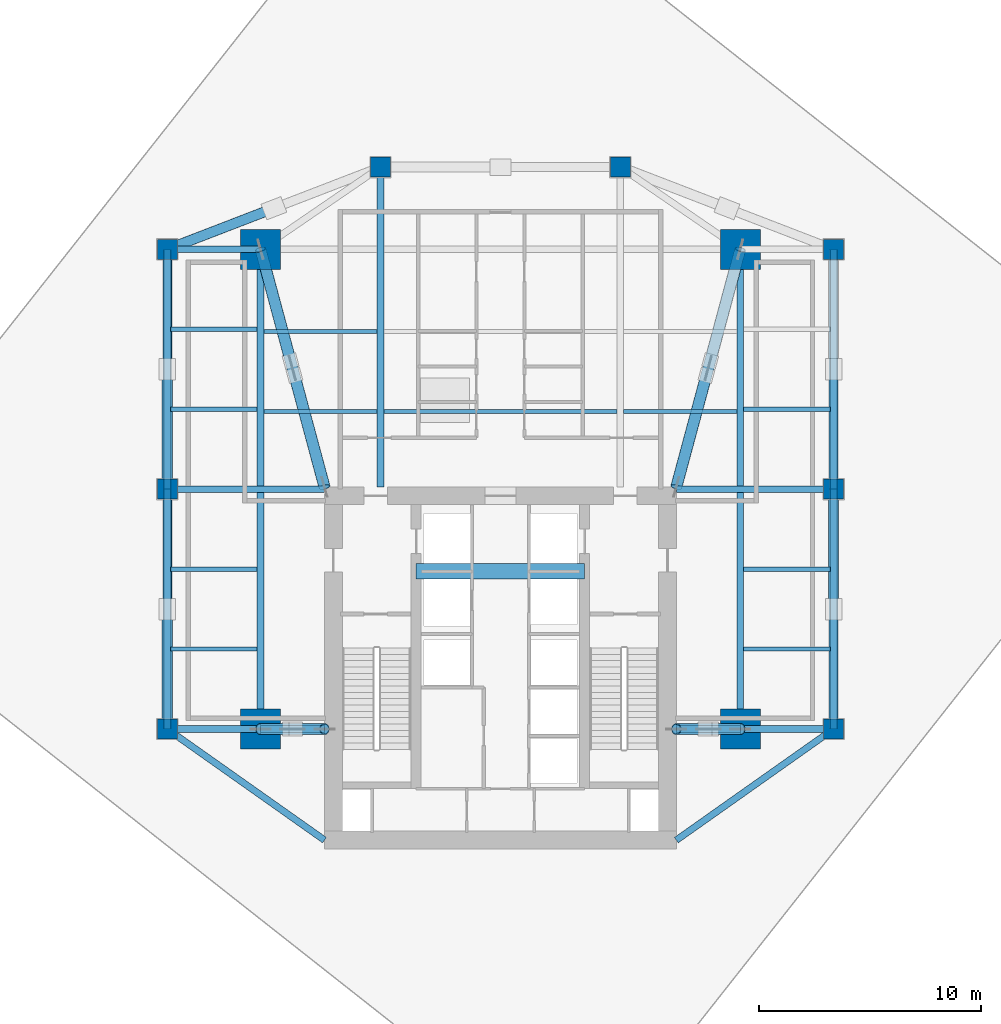
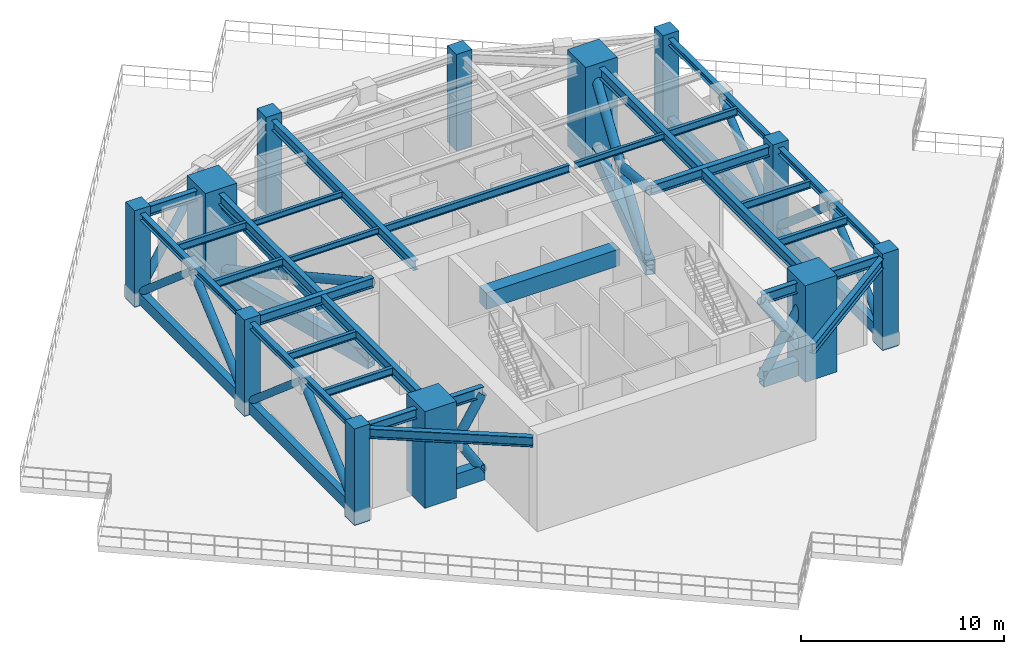
# One storey, part 1 of 8: 32 beams, 23 members, 12 columns.
"""IFC4 building model written with IfcOpenShell, lengths in metres."""

from ifc_helpers import new_model, si_unit, direction, frame, origin, origin_2d, place, context, subcontext, project, spatial, rectangle, hollow_rectangle, hollow_circle, i_section, extrude, source, transform, mapped, material, material_profile, profile_set, type_object, type_shapes, element, save


model = new_model("IFC4")

# Units and contexts
model_context = context("Model", 3, precision=1e-05, world=origin(), true_north=direction((0.0, 1.0)))
body_context = subcontext(model_context, "Body", "Model", "MODEL_VIEW")
ifc_project = project(units=[si_unit("LENGTHUNIT", "METRE"), si_unit("AREAUNIT", "SQUARE_METRE"), si_unit("VOLUMEUNIT", "CUBIC_METRE"), si_unit("PLANEANGLEUNIT", "RADIAN"), si_unit("MASSUNIT", "GRAM", prefix="KILO")], contexts=[model_context])

# Site, building, storey
site_placement = place(None, origin())
site = spatial("IfcSite", under=ifc_project, at=site_placement, CompositionType="ELEMENT")
building_placement = place(site_placement, origin())
building = spatial("IfcBuilding", under=site, at=building_placement, Name="Krantzveldt Concourse Tower", CompositionType="ELEMENT")
storey_placement = place(building_placement, frame((0.0, 0.0, 201.5)))
storey = spatial("IfcBuildingStorey", under=building, at=storey_placement, Name="L49", CompositionType="ELEMENT", Elevation=201.5)

# Columns
ifc_material_1 = material(Name="Concrete C50/60", Category="concrete")
ifc_material_profile_1 = material_profile(ifc_material_1, rectangle(XDim=1.800048828125, YDim=1.800048828125, at=origin_2d()), Name="Concrete C50/60", Category="concrete")
ifc_profile_set_1 = profile_set([ifc_material_profile_1], Name="Concrete C50/60 - RC 1800x1800")
column_type_1 = type_object("IfcColumnType", Name="COL-MC-1800", PredefinedType="USERDEFINED", material=ifc_profile_set_1)
shared_shape_1 = source(origin(), body_context, "Body", "SweptSolid", [
    extrude(rectangle(XDim=1.800048828125, YDim=1.800048828125, at=origin_2d()), origin(), (0.0, 0.0, 1.0), 5.800048828125),
])
type_shapes(column_type_1, [shared_shape_1])
for number, where, z_axis, x_axis, name in (
    (1, (25.199951171875, 15.89990234375, 0.0), (0.0, 0.0, 1.0), (1.0, 0.0, 0.0), "MC-SW-L49"),
    (2, (46.800048828125, 15.89990234375, 0.0), (0.0, 0.0, 1.0), (1.0, 0.0, 0.0), "MC-SE-L49"),
    (3, (46.800048828125, 37.5, 0.0), (0.0, 0.0, 1.0), (1.0, 0.0, 0.0), "MC-NE-L49"),
    (4, (25.199951171875, 37.5, 0.0), (0.0, 0.0, 1.0), (1.0, 0.0, 0.0), "MC-NW-L49"),
):
    element("IfcColumn", number, at=place(storey_placement, frame(where, z_axis=z_axis, x_axis=x_axis)), inside=storey, type_object=column_type_1, Name=name, ObjectType="MEGA COLUMN", PredefinedType="USERDEFINED", context=body_context, shape_type="MappedRepresentation", body=[
        mapped(shared_shape_1, transform((0.0, 0.0, 0.0), x_axis=(1.0, 0.0, 0.0), y_axis=(0.0, 1.0, 0.0), z_axis=(0.0, 0.0, 1.0), scale=1.0)),
    ])
ifc_material_profile_2 = material_profile(ifc_material_1, rectangle(XDim=0.89990234375, YDim=0.89990234375, at=origin_2d()), Name="Concrete C50/60", Category="concrete")
ifc_profile_set_2 = profile_set([ifc_material_profile_2], Name="Concrete C50/60 - RC 900x900")
column_type_2 = type_object("IfcColumnType", Name="COL-C-Z3", PredefinedType="COLUMN", material=ifc_profile_set_2)
shared_shape_2 = source(origin(), body_context, "Body", "SweptSolid", [
    extrude(rectangle(XDim=0.89990234375, YDim=0.89990234375, at=origin_2d()), origin(), (0.0, 0.0, 1.0), 5.800048828125),
])
type_shapes(column_type_2, [shared_shape_2])
for number, where, z_axis, x_axis, name in (
    (5, (21.0, 15.89990234375, 0.0), (0.0, 0.0, 1.0), (1.0, 0.0, 0.0), "PC-R01-L49"),
    (6, (21.0, 26.699951171875, 0.0), (0.0, 0.0, 1.0), (1.0, 0.0, 0.0), "PC-R02-L49"),
    (7, (21.0, 37.5, 0.0), (0.0, 0.0, 1.0), (1.0, 0.0, 0.0), "PC-R03-L49"),
    (8, (30.60009765625, 41.199951171875, 0.0), (0.0, 0.0, 1.0), (1.0, 0.0, 0.0), "PC-R04-L49"),
    (9, (41.39990234375, 41.199951171875, 0.0), (0.0, 0.0, 1.0), (1.0, 0.0, 0.0), "PC-R05-L49"),
    (10, (51.0, 37.5, 0.0), (0.0, 0.0, 1.0), (1.0, 0.0, 0.0), "PC-R06-L49"),
    (11, (51.0, 26.699951171875, 0.0), (0.0, 0.0, 1.0), (1.0, 0.0, 0.0), "PC-R07-L49"),
    (12, (51.0, 15.89990234375, 0.0), (0.0, 0.0, 1.0), (1.0, 0.0, 0.0), "PC-R08-L49"),
):
    element("IfcColumn", number, at=place(storey_placement, frame(where, z_axis=z_axis, x_axis=x_axis)), inside=storey, type_object=column_type_2, Name=name, PredefinedType="COLUMN", context=body_context, shape_type="MappedRepresentation", body=[
        mapped(shared_shape_2, transform((0.0, 0.0, 0.0), x_axis=(1.0, 0.0, 0.0), y_axis=(0.0, 1.0, 0.0), z_axis=(0.0, 0.0, 1.0), scale=1.0)),
    ])

# Beams
ifc_material_2 = material(Name="Steel S355JR", Category="steel")
ifc_material_profile_3 = material_profile(ifc_material_2, i_section(OverallWidth=0.300048828125, OverallDepth=0.639892578125, WebThickness=0.013427734375, FlangeThickness=0.02587890625, FilletRadius=0.027099609375, at=origin_2d()), Name="Steel S355JR", Category="steel")
ifc_profile_set_3 = profile_set([ifc_material_profile_3], Name="Steel S355JR - HEA 650")
beam_type_1 = type_object("IfcBeamType", Name="BM-B-HEA650", PredefinedType="BEAM", material=ifc_profile_set_3)
shared_shape_3 = source(origin(), body_context, "Body", "SweptSolid", [
    extrude(i_section(OverallWidth=0.300048828125, OverallDepth=0.639892578125, WebThickness=0.013427734375, FlangeThickness=0.02587890625, FilletRadius=0.027099609375, at=origin_2d()), origin(), (0.0, 0.0, 1.0), 21.60009765625),
])
for number, where, z_axis, x_axis, name in (
    (13, (25.199951171875, 15.89990234375, 5.199951171875), (0.0, 1.0, 0.0), (-1.0, 0.0, 0.0), "L49 Tower Girder BG-MW"),
    (14, (46.800048828125, 15.89990234375, 5.199951171875), (0.0, 1.0, 0.0), (-1.0, 0.0, 0.0), "L49 Tower Girder BG-ME"),
):
    element("IfcBeam", number, at=place(storey_placement, frame(where, z_axis=z_axis, x_axis=x_axis)), inside=storey, type_object=beam_type_1, Name=name, PredefinedType="BEAM", context=body_context, shape_type="MappedRepresentation", body=[
        mapped(shared_shape_3, transform((0.0, 0.0, 0.0), x_axis=(1.0, 0.0, 0.0), y_axis=(0.0, 1.0, 0.0), z_axis=(0.0, 0.0, 1.0), scale=1.0)),
    ])
ifc_material_profile_4 = material_profile(ifc_material_2, i_section(OverallWidth=0.300048828125, OverallDepth=0.590087890625, WebThickness=0.012939453125, FlangeThickness=0.02490234375, FilletRadius=0.027099609375, at=origin_2d()), Name="Steel S355JR", Category="steel")
ifc_profile_set_4 = profile_set([ifc_material_profile_4], Name="Steel S355JR - HEA 600")
beam_type_2 = type_object("IfcBeamType", Name="BM-B-HEA600", PredefinedType="BEAM", material=ifc_profile_set_4)
shared_shape_4 = source(origin(), body_context, "Body", "SweptSolid", [
    extrude(i_section(OverallWidth=0.300048828125, OverallDepth=0.590087890625, WebThickness=0.012939453125, FlangeThickness=0.02490234375, FilletRadius=0.027099609375, at=origin_2d()), origin(), (0.0, 0.0, 1.0), 7.080078125),
])
for number, where, z_axis, x_axis, name in (
    (15, (21.0, 26.699951171875, 5.22509765625), (1.0, 0.0, 0.0), (0.0, 1.0, 0.0), "L49 Tower Girder BG-CW2"),
    (16, (43.919921875, 26.699951171875, 5.22509765625), (1.0, 0.0, 0.0), (0.0, 1.0, 0.0), "L49 Tower Girder BG-CE2"),
):
    element("IfcBeam", number, at=place(storey_placement, frame(where, z_axis=z_axis, x_axis=x_axis)), inside=storey, type_object=beam_type_2, Name=name, PredefinedType="BEAM", context=body_context, shape_type="MappedRepresentation", body=[
        mapped(shared_shape_4, transform((0.0, 0.0, 0.0), x_axis=(1.0, 0.0, 0.0), y_axis=(0.0, 1.0, 0.0), z_axis=(0.0, 0.0, 1.0), scale=1.0)),
    ])
shared_shape_5 = source(origin(), body_context, "Body", "SweptSolid", [
    extrude(i_section(OverallWidth=0.300048828125, OverallDepth=0.590087890625, WebThickness=0.012939453125, FlangeThickness=0.02490234375, FilletRadius=0.027099609375, at=origin_2d()), origin(), (0.0, 0.0, 1.0), 14.39990234375),
])
beam_1_placement = place(storey_placement, frame((30.60009765625, 26.800048828125, 5.22509765625), z_axis=(0.0, 1.0, 0.0), x_axis=(-1.0, 0.0, 0.0)))
element("IfcBeam", 17, at=beam_1_placement, inside=storey, type_object=beam_type_2, Name="L49 Tower Girder BG-CNW", PredefinedType="BEAM", context=body_context, shape_type="MappedRepresentation", body=[
    mapped(shared_shape_5, transform((0.0, 0.0, 0.0), x_axis=(1.0, 0.0, 0.0), y_axis=(0.0, 1.0, 0.0), z_axis=(0.0, 0.0, 1.0), scale=1.0)),
])
shared_shape_6 = source(origin(), body_context, "Body", "SweptSolid", [
    extrude(i_section(OverallWidth=0.300048828125, OverallDepth=0.590087890625, WebThickness=0.012939453125, FlangeThickness=0.02490234375, FilletRadius=0.027099609375, at=origin_2d()), origin(), (0.0, 0.0, 1.0), 4.199951171875),
])
for number, where, z_axis, x_axis, name in (
    (18, (21.0, 15.89990234375, 5.22509765625), (1.0, 0.0, 0.0), (0.0, 1.0, 0.0), "L49 Tower Girder BR-RL1"),
    (19, (21.0, 37.5, 5.22509765625), (1.0, 0.0, 0.0), (0.0, 1.0, 0.0), "L49 Tower Girder BR-RL3"),
    (20, (46.800048828125, 15.89990234375, 5.22509765625), (1.0, 0.0, 0.0), (0.0, 1.0, 0.0), "L49 Tower Girder BR-RR1"),
):
    element("IfcBeam", number, at=place(storey_placement, frame(where, z_axis=z_axis, x_axis=x_axis)), inside=storey, type_object=beam_type_2, Name=name, PredefinedType="BEAM", context=body_context, shape_type="MappedRepresentation", body=[
        mapped(shared_shape_6, transform((0.0, 0.0, 0.0), x_axis=(1.0, 0.0, 0.0), y_axis=(0.0, 1.0, 0.0), z_axis=(0.0, 0.0, 1.0), scale=1.0)),
    ])
shared_shape_7 = source(origin(), body_context, "Body", "SweptSolid", [
    extrude(i_section(OverallWidth=0.300048828125, OverallDepth=0.590087890625, WebThickness=0.012939453125, FlangeThickness=0.02490234375, FilletRadius=0.027099609375, at=origin_2d()), origin(), (0.0, 0.0, 1.0), 8.667724609375),
])
type_shapes(beam_type_2, [shared_shape_4, shared_shape_5, shared_shape_6, shared_shape_7])
for number, where, z_axis, x_axis, name in (
    (21, (21.0, 15.89990234375, 5.22509765625), (0.81684294656, -0.576860122261, 0.0), (0.576860122261, 0.81684294656, 0.0), "L49 Tower Girder BR-CSW"),
    (22, (51.0, 15.89990234375, 5.22509765625), (-0.81684294656, -0.576860122261, 0.0), (0.576860122261, -0.81684294656, 0.0), "L49 Tower Girder BR-CSE"),
):
    element("IfcBeam", number, at=place(storey_placement, frame(where, z_axis=z_axis, x_axis=x_axis)), inside=storey, type_object=beam_type_2, Name=name, PredefinedType="BEAM", context=body_context, shape_type="MappedRepresentation", body=[
        mapped(shared_shape_7, transform((0.0, 0.0, 0.0), x_axis=(1.0, 0.0, 0.0), y_axis=(0.0, 1.0, 0.0), z_axis=(0.0, 0.0, 1.0), scale=1.0)),
    ])
ifc_material_profile_5 = material_profile(ifc_material_2, i_section(OverallWidth=0.18994140625, OverallDepth=0.449951171875, WebThickness=0.009521484375, FlangeThickness=0.0146484375, FilletRadius=0.02099609375, at=origin_2d()), Name="Steel S355JR", Category="steel")
ifc_profile_set_5 = profile_set([ifc_material_profile_5], Name="Steel S355JR - IPE 450")
beam_type_3 = type_object("IfcBeamType", Name="BM-J-IPE450", PredefinedType="JOIST", material=ifc_profile_set_5)
shared_shape_8 = source(origin(), body_context, "Body", "SweptSolid", [
    extrude(i_section(OverallWidth=0.18994140625, OverallDepth=0.449951171875, WebThickness=0.009521484375, FlangeThickness=0.0146484375, FilletRadius=0.02099609375, at=origin_2d()), origin(), (0.0, 0.0, 1.0), 10.5),
])
beam_2_placement = place(storey_placement, frame((30.75, 30.199951171875, 5.294921875), z_axis=(1.0, 0.0, 0.0), x_axis=(0.0, 1.0, 0.0)))
element("IfcBeam", 23, at=beam_2_placement, inside=storey, type_object=beam_type_3, Name="L49 Secondary Floor Joist JN-C1", PredefinedType="JOIST", context=body_context, shape_type="MappedRepresentation", body=[
    mapped(shared_shape_8, transform((0.0, 0.0, 0.0), x_axis=(1.0, 0.0, 0.0), y_axis=(0.0, 1.0, 0.0), z_axis=(0.0, 0.0, 1.0), scale=1.0)),
])
ifc_material_3 = material(Name="Steel S355J2", Category="steel")
ifc_material_profile_6 = material_profile(ifc_material_3, hollow_rectangle(XDim=0.5, YDim=0.89990234375, WallThickness=0.044921875, at=origin_2d()), Name="Steel S355J2", Category="steel")
ifc_profile_set_6 = profile_set([ifc_material_profile_6], Name="Steel S355J2 - RHS 900x500x45")
beam_type_4 = type_object("IfcBeamType", Name="BM-OT-CHD900", PredefinedType="BEAM", material=ifc_profile_set_6)
shared_shape_9 = source(origin(), body_context, "Body", "SweptSolid", [
    extrude(hollow_rectangle(XDim=0.5, YDim=0.89990234375, WallThickness=0.044921875, at=origin_2d()), origin(), (0.0, 0.0, 1.0), 2.880126953125),
])
for number, where, z_axis, x_axis, name in (
    (24, (28.080078125, 15.89990234375, 0.449951171875), (-1.0, 0.0, 0.0), (0.0, -1.0, 0.0), "OT-SW-L49-BC"),
    (25, (43.919921875, 15.89990234375, 0.449951171875), (1.0, 0.0, 0.0), (0.0, 1.0, 0.0), "OT-SE-L49-BC"),
):
    element("IfcBeam", number, at=place(storey_placement, frame(where, z_axis=z_axis, x_axis=x_axis)), inside=storey, type_object=beam_type_4, Name=name, PredefinedType="BEAM", context=body_context, shape_type="MappedRepresentation", body=[
        mapped(shared_shape_9, transform((0.0, 0.0, 0.0), x_axis=(1.0, 0.0, 0.0), y_axis=(0.0, 1.0, 0.0), z_axis=(0.0, 0.0, 1.0), scale=1.0)),
    ])

# Members
ifc_material_profile_7 = material_profile(ifc_material_3, hollow_circle(Radius=0.25390625, WallThickness=0.035888671875, at=origin_2d()), Name="Steel S355J2", Category="steel")
ifc_profile_set_7 = profile_set([ifc_material_profile_7], Name="Steel S355J2 - CHS 508x36")
member_type_1 = type_object("IfcMemberType", Name="MB-OB-CHS508", PredefinedType="BRACE", material=ifc_profile_set_7)
shared_shape_10 = source(origin(), body_context, "Body", "SweptSolid", [
    extrude(hollow_circle(Radius=0.25390625, WallThickness=0.035888671875, at=origin_2d()), origin(), (0.0, 0.0, 1.0), 5.4443359375),
])
for number, where, z_axis, x_axis, name in (
    (26, (28.080078125, 15.89990234375, 0.449951171875), (-0.52901505659, 0.0, 0.848612437984), (0.0, -1.0, 0.0), "Brace Diagonal OT-SW-L49-D1"),
    (27, (43.919921875, 15.89990234375, 0.449951171875), (0.52901505659, 0.0, 0.848612437984), (0.0, 1.0, 0.0), "Brace Diagonal OT-SE-L49-D1"),
):
    element("IfcMember", number, at=place(storey_placement, frame(where, z_axis=z_axis, x_axis=x_axis)), inside=storey, type_object=member_type_1, Name=name, PredefinedType="BRACE", context=body_context, shape_type="MappedRepresentation", body=[
        mapped(shared_shape_10, transform((0.0, 0.0, 0.0), x_axis=(1.0, 0.0, 0.0), y_axis=(0.0, 1.0, 0.0), z_axis=(0.0, 0.0, 1.0), scale=1.0)),
    ])
shared_shape_11 = source(origin(), body_context, "Body", "SweptSolid", [
    extrude(hollow_circle(Radius=0.25390625, WallThickness=0.035888671875, at=origin_2d()), origin(), (0.0, 0.0, 1.0), 2.439453125),
])
for number, where, z_axis, x_axis, name in (
    (28, (28.080078125, 15.89990234375, 5.070068359375), (-0.529036007467, 0.0, -0.848599377093), (0.0, -1.0, 0.0), "Brace Diagonal OT-SW-L49-D2A"),
    (29, (43.919921875, 15.89990234375, 5.070068359375), (0.529036007467, 0.0, -0.848599377093), (0.0, 1.0, 0.0), "Brace Diagonal OT-SE-L49-D2A"),
):
    element("IfcMember", number, at=place(storey_placement, frame(where, z_axis=z_axis, x_axis=x_axis)), inside=storey, type_object=member_type_1, Name=name, PredefinedType="BRACE", context=body_context, shape_type="MappedRepresentation", body=[
        mapped(shared_shape_11, transform((0.0, 0.0, 0.0), x_axis=(1.0, 0.0, 0.0), y_axis=(0.0, 1.0, 0.0), z_axis=(0.0, 0.0, 1.0), scale=1.0)),
    ])

# Beams
shared_shape_12 = source(origin(), body_context, "Body", "SweptSolid", [
    extrude(hollow_rectangle(XDim=0.5, YDim=0.89990234375, WallThickness=0.044921875, at=origin_2d()), origin(), (0.0, 0.0, 1.0), 11.080810546875),
])
type_shapes(beam_type_4, [shared_shape_9, shared_shape_12])
for number, where, z_axis, x_axis, name in (
    (30, (28.080078125, 26.800048828125, 0.449951171875), (-0.25992053364, 0.965630009989, 0.0), (-0.965630009989, -0.25992053364, 0.0), "OT-NW-L49-BC"),
    (31, (43.919921875, 26.800048828125, 0.449951171875), (0.25992053364, 0.965630009989, 0.0), (-0.965630009989, 0.25992053364, 0.0), "OT-NE-L49-BC"),
):
    element("IfcBeam", number, at=place(storey_placement, frame(where, z_axis=z_axis, x_axis=x_axis)), inside=storey, type_object=beam_type_4, Name=name, PredefinedType="BEAM", context=body_context, shape_type="MappedRepresentation", body=[
        mapped(shared_shape_12, transform((0.0, 0.0, 0.0), x_axis=(1.0, 0.0, 0.0), y_axis=(0.0, 1.0, 0.0), z_axis=(0.0, 0.0, 1.0), scale=1.0)),
    ])

# Members
shared_shape_13 = source(origin(), body_context, "Body", "SweptSolid", [
    extrude(hollow_circle(Radius=0.25390625, WallThickness=0.035888671875, at=origin_2d()), origin(), (0.0, 0.0, 1.0), 12.00537109375),
])
for number, where, z_axis, x_axis, name in (
    (32, (28.080078125, 26.800048828125, 0.449951171875), (-0.239902673171, 0.891261715441, 0.384836669245), (-0.965630009989, -0.25992053364, 0.0), "Brace Diagonal OT-NW-L49-D1"),
    (33, (43.919921875, 26.800048828125, 0.449951171875), (0.239902673171, 0.891261715441, 0.384836669245), (-0.965630009989, 0.25992053364, 0.0), "Brace Diagonal OT-NE-L49-D1"),
):
    element("IfcMember", number, at=place(storey_placement, frame(where, z_axis=z_axis, x_axis=x_axis)), inside=storey, type_object=member_type_1, Name=name, PredefinedType="BRACE", context=body_context, shape_type="MappedRepresentation", body=[
        mapped(shared_shape_13, transform((0.0, 0.0, 0.0), x_axis=(1.0, 0.0, 0.0), y_axis=(0.0, 1.0, 0.0), z_axis=(0.0, 0.0, 1.0), scale=1.0)),
    ])
shared_shape_14 = source(origin(), body_context, "Body", "SweptSolid", [
    extrude(hollow_circle(Radius=0.25390625, WallThickness=0.035888671875, at=origin_2d()), origin(), (0.0, 0.0, 1.0), 5.64501953125),
])
for number, where, z_axis, x_axis, name in (
    (34, (28.080078125, 26.800048828125, 5.070068359375), (-0.239899958271, 0.891267052469, -0.384826001207), (-0.965631138886, -0.259916339645, 0.0), "Brace Diagonal OT-NW-L49-D2A"),
    (35, (26.55419921875, 32.46875, 2.622314453125), (-0.239899958271, 0.891267052469, -0.384826001207), (-0.965631138886, -0.259916339645, 0.0), "Brace Diagonal OT-NW-L49-D2B"),
    (36, (43.919921875, 26.800048828125, 5.070068359375), (0.239899958271, 0.891267052469, -0.384826001207), (-0.965631138886, 0.259916339645, 0.0), "Brace Diagonal OT-NE-L49-D2A"),
):
    element("IfcMember", number, at=place(storey_placement, frame(where, z_axis=z_axis, x_axis=x_axis)), inside=storey, type_object=member_type_1, Name=name, PredefinedType="BRACE", context=body_context, shape_type="MappedRepresentation", body=[
        mapped(shared_shape_14, transform((0.0, 0.0, 0.0), x_axis=(1.0, 0.0, 0.0), y_axis=(0.0, 1.0, 0.0), z_axis=(0.0, 0.0, 1.0), scale=1.0)),
    ])
ifc_material_profile_8 = material_profile(ifc_material_3, hollow_rectangle(XDim=0.39990234375, YDim=0.699951171875, WallThickness=0.034912109375, at=origin_2d()), Name="Steel S355J2", Category="steel")
ifc_profile_set_8 = profile_set([ifc_material_profile_8], Name="Steel S355J2 - RHS 700x400x35")
member_type_2 = type_object("IfcMemberType", Name="MB-BC-RHS700", PredefinedType="CHORD", material=ifc_profile_set_8)
shared_shape_15 = source(origin(), body_context, "Body", "SweptSolid", [
    extrude(hollow_rectangle(XDim=0.39990234375, YDim=0.699951171875, WallThickness=0.034912109375, at=origin_2d()), origin(), (0.0, 0.0, 1.0), 10.800048828125),
])
type_shapes(member_type_2, [shared_shape_15])
for number, where, z_axis, x_axis, name in (
    (37, (21.0, 15.89990234375, 0.449951171875), (0.0, 1.0, 0.0), (-1.0, 0.0, 0.0), "BT-L49-BC-01"),
    (38, (21.0, 26.699951171875, 0.449951171875), (0.0, 1.0, 0.0), (-1.0, 0.0, 0.0), "BT-L49-BC-02"),
    (39, (51.0, 37.5, 0.449951171875), (0.0, -1.0, 0.0), (1.0, 0.0, 0.0), "BT-L49-BC-06"),
    (40, (51.0, 26.699951171875, 0.449951171875), (0.0, -1.0, 0.0), (1.0, 0.0, 0.0), "BT-L49-BC-07"),
):
    element("IfcMember", number, at=place(storey_placement, frame(where, z_axis=z_axis, x_axis=x_axis)), inside=storey, type_object=member_type_2, Name=name, PredefinedType="CHORD", context=body_context, shape_type="MappedRepresentation", body=[
        mapped(shared_shape_15, transform((0.0, 0.0, 0.0), x_axis=(1.0, 0.0, 0.0), y_axis=(0.0, 1.0, 0.0), z_axis=(0.0, 0.0, 1.0), scale=1.0)),
    ])
ifc_material_profile_9 = material_profile(ifc_material_3, hollow_circle(Radius=0.228515625, WallThickness=0.030029296875, at=origin_2d()), Name="Steel S355J2", Category="steel")
ifc_profile_set_9 = profile_set([ifc_material_profile_9], Name="Steel S355J2 - CHS 457x30")
member_type_3 = type_object("IfcMemberType", Name="MB-BB-CHS457", PredefinedType="BRACE", material=ifc_profile_set_9)
shared_shape_16 = source(origin(), body_context, "Body", "SweptSolid", [
    extrude(hollow_circle(Radius=0.228515625, WallThickness=0.030029296875, at=origin_2d()), origin(), (0.0, 0.0, 1.0), 7.10693359375),
])
for number, where, z_axis, x_axis, name in (
    (41, (21.0, 15.89990234375, 0.449951171875), (0.0, 0.759852812207, 0.65009514979), (-1.0, 0.0, 0.0), "Brace Diagonal BT-L49-D1-01"),
    (42, (21.0, 26.699951171875, 0.449951171875), (0.0, 0.759852812207, 0.65009514979), (-1.0, 0.0, 0.0), "Brace Diagonal BT-L49-D1-02"),
):
    element("IfcMember", number, at=place(storey_placement, frame(where, z_axis=z_axis, x_axis=x_axis)), inside=storey, type_object=member_type_3, Name=name, PredefinedType="BRACE", context=body_context, shape_type="MappedRepresentation", body=[
        mapped(shared_shape_16, transform((0.0, 0.0, 0.0), x_axis=(1.0, 0.0, 0.0), y_axis=(0.0, 1.0, 0.0), z_axis=(0.0, 0.0, 1.0), scale=1.0)),
    ])
ifc_material_profile_10 = material_profile(ifc_material_3, hollow_circle(Radius=0.203125, WallThickness=0.02490234375, at=origin_2d()), Name="Steel S355J2", Category="steel")
ifc_profile_set_10 = profile_set([ifc_material_profile_10], Name="Steel S355J2 - CHS 406.4x25")
member_type_4 = type_object("IfcMemberType", Name="MB-BB-CHS406", PredefinedType="BRACE", material=ifc_profile_set_10)
shared_shape_17 = source(origin(), body_context, "Body", "SweptSolid", [
    extrude(hollow_circle(Radius=0.203125, WallThickness=0.02490234375, at=origin_2d()), origin(), (0.0, 0.0, 1.0), 7.106689453125),
])
for number, where, z_axis, x_axis, name in (
    (43, (21.0, 26.699951171875, 0.449951171875), (0.0, -0.759838293269, 0.650112119623), (1.0, 0.0, 0.0), "Brace Diagonal BT-L49-D2-01"),
    (44, (21.0, 37.5, 0.449951171875), (0.0, -0.759838293269, 0.650112119623), (1.0, 0.0, 0.0), "Brace Diagonal BT-L49-D2-02"),
):
    element("IfcMember", number, at=place(storey_placement, frame(where, z_axis=z_axis, x_axis=x_axis)), inside=storey, type_object=member_type_4, Name=name, PredefinedType="BRACE", context=body_context, shape_type="MappedRepresentation", body=[
        mapped(shared_shape_17, transform((0.0, 0.0, 0.0), x_axis=(1.0, 0.0, 0.0), y_axis=(0.0, 1.0, 0.0), z_axis=(0.0, 0.0, 1.0), scale=1.0)),
    ])
shared_shape_18 = source(origin(), body_context, "Body", "SweptSolid", [
    extrude(hollow_circle(Radius=0.228515625, WallThickness=0.030029296875, at=origin_2d()), origin(), (0.0, 0.0, 1.0), 6.914306640625),
])
member_1_placement = place(storey_placement, frame((21.0, 37.5, 0.449951171875), z_axis=(0.694211294291, 0.26757200489, 0.668188522108), x_axis=(-0.359643657726, 0.933089727442, 0.0)))
element("IfcMember", 45, at=member_1_placement, inside=storey, type_object=member_type_3, Name="Brace Diagonal BT-L49-D1-03", PredefinedType="BRACE", context=body_context, shape_type="MappedRepresentation", body=[
    mapped(shared_shape_18, transform((0.0, 0.0, 0.0), x_axis=(1.0, 0.0, 0.0), y_axis=(0.0, 1.0, 0.0), z_axis=(0.0, 0.0, 1.0), scale=1.0)),
])
shared_shape_19 = source(origin(), body_context, "Body", "SweptSolid", [
    extrude(hollow_circle(Radius=0.228515625, WallThickness=0.030029296875, at=origin_2d()), origin(), (0.0, 0.0, 1.0), 7.106689453125),
])
type_shapes(member_type_3, [shared_shape_16, shared_shape_18, shared_shape_19])
member_2_placement = place(storey_placement, frame((51.0, 26.699951171875, 0.449951171875), z_axis=(0.0, -0.759838293269, 0.650112119623), x_axis=(1.0, 0.0, 0.0)))
element("IfcMember", 46, at=member_2_placement, inside=storey, type_object=member_type_3, Name="Brace Diagonal BT-L49-D1-07", PredefinedType="BRACE", context=body_context, shape_type="MappedRepresentation", body=[
    mapped(shared_shape_19, transform((0.0, 0.0, 0.0), x_axis=(1.0, 0.0, 0.0), y_axis=(0.0, 1.0, 0.0), z_axis=(0.0, 0.0, 1.0), scale=1.0)),
])
shared_shape_20 = source(origin(), body_context, "Body", "SweptSolid", [
    extrude(hollow_circle(Radius=0.203125, WallThickness=0.02490234375, at=origin_2d()), origin(), (0.0, 0.0, 1.0), 7.10693359375),
])
type_shapes(member_type_4, [shared_shape_17, shared_shape_20])
for number, where, z_axis, x_axis, name in (
    (47, (51.0, 26.699951171875, 0.449951171875), (0.0, 0.759852812207, 0.65009514979), (-1.0, 0.0, 0.0), "Brace Diagonal BT-L49-D2-06"),
    (48, (51.0, 15.89990234375, 0.449951171875), (0.0, 0.759852812207, 0.65009514979), (-1.0, 0.0, 0.0), "Brace Diagonal BT-L49-D2-07"),
):
    element("IfcMember", number, at=place(storey_placement, frame(where, z_axis=z_axis, x_axis=x_axis)), inside=storey, type_object=member_type_4, Name=name, PredefinedType="BRACE", context=body_context, shape_type="MappedRepresentation", body=[
        mapped(shared_shape_20, transform((0.0, 0.0, 0.0), x_axis=(1.0, 0.0, 0.0), y_axis=(0.0, 1.0, 0.0), z_axis=(0.0, 0.0, 1.0), scale=1.0)),
    ])

# Beams
ifc_material_profile_11 = material_profile(ifc_material_1, rectangle(XDim=0.699951171875, YDim=1.0, at=origin_2d()), Name="Concrete C50/60", Category="concrete")
ifc_profile_set_11 = profile_set([ifc_material_profile_11], Name="Concrete C50/60 - RC-CB 700x1000")
beam_type_5 = type_object("IfcBeamType", Name="BM-CB-1000", PredefinedType="LINTEL", material=ifc_profile_set_11)
shared_shape_21 = source(origin(), body_context, "Body", "SweptSolid", [
    extrude(rectangle(XDim=0.699951171875, YDim=1.0, at=origin_2d()), origin(), (0.0, 0.0, 1.0), 7.580078125),
])
type_shapes(beam_type_5, [shared_shape_21])
beam_3_placement = place(storey_placement, frame((32.2099609375, 23.0, 5.02001953125), z_axis=(1.0, 0.0, 0.0), x_axis=(0.0, 1.0, 0.0)))
element("IfcBeam", 49, at=beam_3_placement, inside=storey, type_object=beam_type_5, Name="CB-L49-01", PredefinedType="LINTEL", context=body_context, shape_type="MappedRepresentation", body=[
    mapped(shared_shape_21, transform((0.0, 0.0, 0.0), x_axis=(1.0, 0.0, 0.0), y_axis=(0.0, 1.0, 0.0), z_axis=(0.0, 0.0, 1.0), scale=1.0)),
])
shared_shape_22 = source(origin(), body_context, "Body", "SweptSolid", [
    extrude(i_section(OverallWidth=0.300048828125, OverallDepth=0.639892578125, WebThickness=0.013427734375, FlangeThickness=0.02587890625, FilletRadius=0.027099609375, at=origin_2d()), origin(), (0.0, 0.0, 1.0), 2.880126953125),
])
type_shapes(beam_type_1, [shared_shape_3, shared_shape_22])
for number, where, z_axis, x_axis, name in (
    (50, (25.199951171875, 15.89990234375, 5.199951171875), (1.0, 0.0, 0.0), (0.0, 1.0, 0.0), "L49 Tower Girder BG-CW1"),
    (51, (43.919921875, 15.89990234375, 5.199951171875), (1.0, 0.0, 0.0), (0.0, 1.0, 0.0), "L49 Tower Girder BG-CE1"),
):
    element("IfcBeam", number, at=place(storey_placement, frame(where, z_axis=z_axis, x_axis=x_axis)), inside=storey, type_object=beam_type_1, Name=name, PredefinedType="BEAM", context=body_context, shape_type="MappedRepresentation", body=[
        mapped(shared_shape_22, transform((0.0, 0.0, 0.0), x_axis=(1.0, 0.0, 0.0), y_axis=(0.0, 1.0, 0.0), z_axis=(0.0, 0.0, 1.0), scale=1.0)),
    ])
ifc_material_profile_12 = material_profile(ifc_material_2, i_section(OverallWidth=0.300048828125, OverallDepth=0.389892578125, WebThickness=0.010986328125, FlangeThickness=0.01904296875, FilletRadius=0.027099609375, at=origin_2d()), Name="Steel S355JR", Category="steel")
ifc_profile_set_12 = profile_set([ifc_material_profile_12], Name="Steel S355JR - HEA 400")
beam_type_6 = type_object("IfcBeamType", Name="BM-SP-HEA400", PredefinedType="SPANDREL", material=ifc_profile_set_12)
shared_shape_23 = source(origin(), body_context, "Body", "SweptSolid", [
    extrude(i_section(OverallWidth=0.300048828125, OverallDepth=0.389892578125, WebThickness=0.010986328125, FlangeThickness=0.01904296875, FilletRadius=0.027099609375, at=origin_2d()), origin(), (0.0, 0.0, 1.0), 10.800048828125),
])
type_shapes(beam_type_6, [shared_shape_23])
for number, where, z_axis, x_axis, name in (
    (52, (21.0, 15.89990234375, 5.324951171875), (0.0, 1.0, 0.0), (-1.0, 0.0, 0.0), "L49 Tower Girder SP-R01"),
    (53, (21.0, 26.699951171875, 5.324951171875), (0.0, 1.0, 0.0), (-1.0, 0.0, 0.0), "L49 Tower Girder SP-R02"),
    (54, (51.0, 37.5, 5.324951171875), (0.0, -1.0, 0.0), (1.0, 0.0, 0.0), "L49 Tower Girder SP-R06"),
    (55, (51.0, 26.699951171875, 5.324951171875), (0.0, -1.0, 0.0), (1.0, 0.0, 0.0), "L49 Tower Girder SP-R07"),
):
    element("IfcBeam", number, at=place(storey_placement, frame(where, z_axis=z_axis, x_axis=x_axis)), inside=storey, type_object=beam_type_6, Name=name, PredefinedType="SPANDREL", context=body_context, shape_type="MappedRepresentation", body=[
        mapped(shared_shape_23, transform((0.0, 0.0, 0.0), x_axis=(1.0, 0.0, 0.0), y_axis=(0.0, 1.0, 0.0), z_axis=(0.0, 0.0, 1.0), scale=1.0)),
    ])
ifc_material_profile_13 = material_profile(ifc_material_2, i_section(OverallWidth=0.169921875, OverallDepth=0.360107421875, WebThickness=0.008056640625, FlangeThickness=0.0126953125, FilletRadius=0.01806640625, at=origin_2d()), Name="Steel S355JR", Category="steel")
ifc_profile_set_13 = profile_set([ifc_material_profile_13], Name="Steel S355JR - IPE 360")
beam_type_7 = type_object("IfcBeamType", Name="BM-J-IPE360", PredefinedType="JOIST", material=ifc_profile_set_13)
shared_shape_24 = source(origin(), body_context, "Body", "SweptSolid", [
    extrude(i_section(OverallWidth=0.169921875, OverallDepth=0.360107421875, WebThickness=0.008056640625, FlangeThickness=0.0126953125, FilletRadius=0.01806640625, at=origin_2d()), origin(), (0.0, 0.0, 1.0), 5.099853515625),
])
type_shapes(beam_type_7, [shared_shape_24])
for number, where, z_axis, x_axis, name in (
    (56, (25.35009765625, 30.199951171875, 5.340087890625), (1.0, 0.0, 0.0), (0.0, 1.0, 0.0), "L49 Secondary Floor Joist JN-W1"),
    (57, (25.35009765625, 33.800048828125, 5.340087890625), (1.0, 0.0, 0.0), (0.0, 1.0, 0.0), "L49 Secondary Floor Joist JN-W2"),
    (58, (41.550048828125, 30.199951171875, 5.340087890625), (1.0, 0.0, 0.0), (0.0, 1.0, 0.0), "L49 Secondary Floor Joist JN-E1"),
):
    element("IfcBeam", number, at=place(storey_placement, frame(where, z_axis=z_axis, x_axis=x_axis)), inside=storey, type_object=beam_type_7, Name=name, PredefinedType="JOIST", context=body_context, shape_type="MappedRepresentation", body=[
        mapped(shared_shape_24, transform((0.0, 0.0, 0.0), x_axis=(1.0, 0.0, 0.0), y_axis=(0.0, 1.0, 0.0), z_axis=(0.0, 0.0, 1.0), scale=1.0)),
    ])
shared_shape_25 = source(origin(), body_context, "Body", "SweptSolid", [
    extrude(i_section(OverallWidth=0.18994140625, OverallDepth=0.449951171875, WebThickness=0.009521484375, FlangeThickness=0.0146484375, FilletRadius=0.02099609375, at=origin_2d()), origin(), (0.0, 0.0, 1.0), 3.900146484375),
])
type_shapes(beam_type_3, [shared_shape_8, shared_shape_25])
for number, where, z_axis, x_axis, name in (
    (59, (21.14990234375, 19.5, 5.294921875), (1.0, 0.0, 0.0), (0.0, 1.0, 0.0), "L49 Secondary Floor Joist JW-1"),
    (60, (21.14990234375, 23.10009765625, 5.294921875), (1.0, 0.0, 0.0), (0.0, 1.0, 0.0), "L49 Secondary Floor Joist JW-2"),
    (61, (21.14990234375, 30.300048828125, 5.294921875), (1.0, 0.0, 0.0), (0.0, 1.0, 0.0), "L49 Secondary Floor Joist JW-3"),
    (62, (21.14990234375, 33.89990234375, 5.294921875), (1.0, 0.0, 0.0), (0.0, 1.0, 0.0), "L49 Secondary Floor Joist JW-4"),
    (63, (46.949951171875, 19.5, 5.294921875), (1.0, 0.0, 0.0), (0.0, 1.0, 0.0), "L49 Secondary Floor Joist JE-1"),
    (64, (46.949951171875, 23.10009765625, 5.294921875), (1.0, 0.0, 0.0), (0.0, 1.0, 0.0), "L49 Secondary Floor Joist JE-2"),
    (65, (46.949951171875, 30.300048828125, 5.294921875), (1.0, 0.0, 0.0), (0.0, 1.0, 0.0), "L49 Secondary Floor Joist JE-3"),
):
    element("IfcBeam", number, at=place(storey_placement, frame(where, z_axis=z_axis, x_axis=x_axis)), inside=storey, type_object=beam_type_3, Name=name, PredefinedType="JOIST", context=body_context, shape_type="MappedRepresentation", body=[
        mapped(shared_shape_25, transform((0.0, 0.0, 0.0), x_axis=(1.0, 0.0, 0.0), y_axis=(0.0, 1.0, 0.0), z_axis=(0.0, 0.0, 1.0), scale=1.0)),
    ])

# Members
shared_shape_26 = source(origin(), body_context, "Body", "SweptSolid", [
    extrude(hollow_circle(Radius=0.25390625, WallThickness=0.035888671875, at=origin_2d()), origin(), (0.0, 0.0, 1.0), 2.439208984375),
])
type_shapes(member_type_1, [shared_shape_10, shared_shape_11, shared_shape_13, shared_shape_14, shared_shape_26])
for number, where, z_axis, x_axis, name in (
    (66, (26.490234375, 15.89990234375, 2.52001953125), (-0.528963930255, 0.0, -0.848644307404), (0.0, -1.0, 0.0), "Brace Diagonal OT-SW-L49-D2B"),
    (67, (45.509765625, 15.89990234375, 2.52001953125), (0.528963930255, 0.0, -0.848644307404), (0.0, 1.0, 0.0), "Brace Diagonal OT-SE-L49-D2B"),
):
    element("IfcMember", number, at=place(storey_placement, frame(where, z_axis=z_axis, x_axis=x_axis)), inside=storey, type_object=member_type_1, Name=name, PredefinedType="BRACE", context=body_context, shape_type="MappedRepresentation", body=[
        mapped(shared_shape_26, transform((0.0, 0.0, 0.0), x_axis=(1.0, 0.0, 0.0), y_axis=(0.0, 1.0, 0.0), z_axis=(0.0, 0.0, 1.0), scale=1.0)),
    ])

save(model, "model.ifc")
